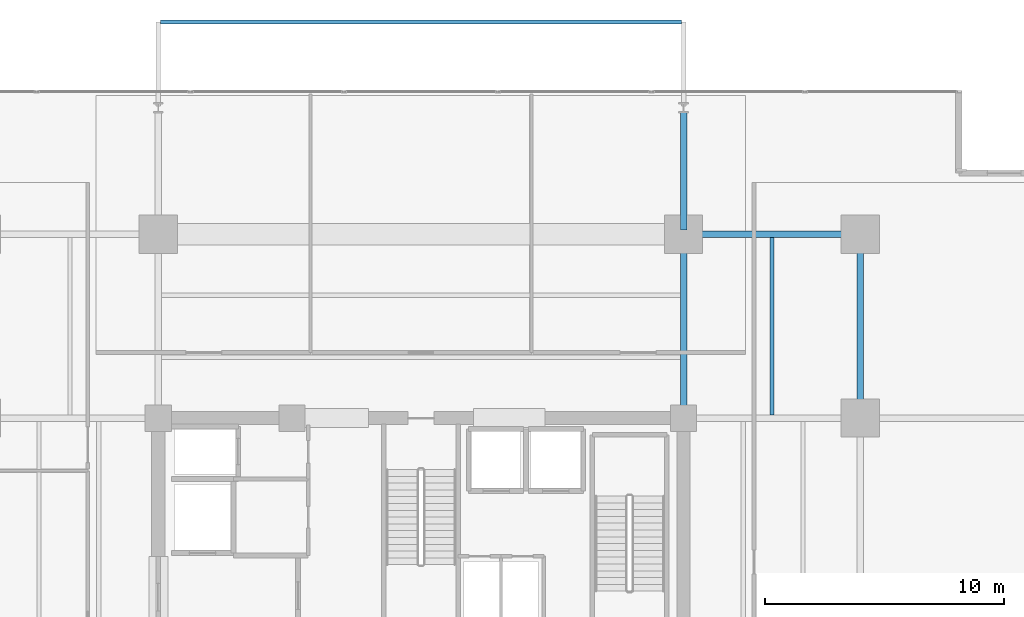
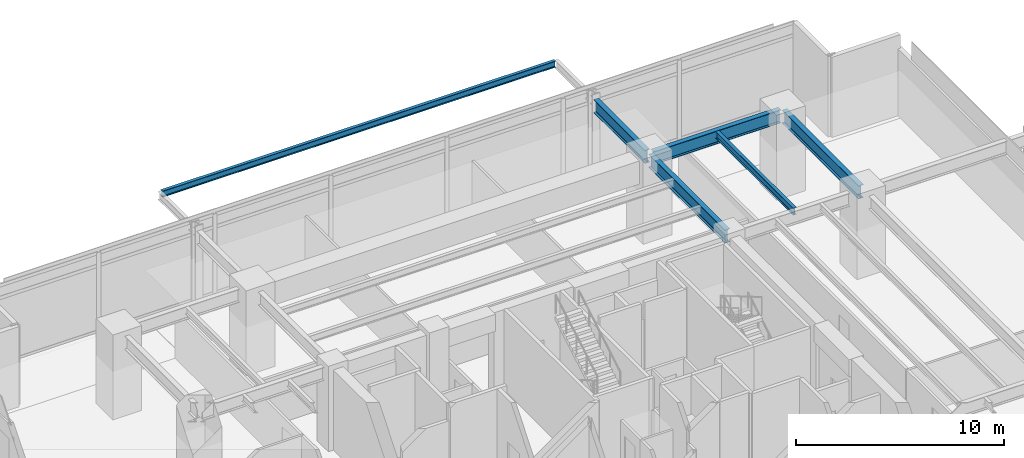
# One storey, part 11 of 24: 6 beams.
"""IFC4 building model written with IfcOpenShell, lengths in metres."""

from ifc_helpers import new_model, si_unit, direction, frame, origin, origin_2d, place, context, subcontext, project, spatial, i_section, extrude, material, material_profile, profile_set, type_object, element, save


model = new_model("IFC4")

# Units and contexts
model_context = context("Model", 3, precision=1e-05, world=origin(), true_north=direction((0.0, 1.0)))
body_context = subcontext(model_context, "Body", "Model", "MODEL_VIEW")
ifc_project = project(units=[si_unit("LENGTHUNIT", "METRE"), si_unit("AREAUNIT", "SQUARE_METRE"), si_unit("VOLUMEUNIT", "CUBIC_METRE"), si_unit("PLANEANGLEUNIT", "RADIAN"), si_unit("MASSUNIT", "GRAM", prefix="KILO")], contexts=[model_context])

# Site, building, storey
site_placement = place(None, origin())
site = spatial("IfcSite", under=ifc_project, at=site_placement, CompositionType="ELEMENT")
building_placement = place(site_placement, origin())
building = spatial("IfcBuilding", under=site, at=building_placement, Name="Kovane Verandah Tower", CompositionType="ELEMENT")
storey_placement = place(building_placement, frame((0.0, 0.0, 118.39990234375)))
storey = spatial("IfcBuildingStorey", under=building, at=storey_placement, Name="L27", CompositionType="ELEMENT", Elevation=118.39990234375)

# Beams
ifc_material = material(Name="Steel S355", Category="steel")
ifc_material_profile_1 = material_profile(ifc_material, i_section(OverallWidth=0.26806640625, OverallDepth=0.769775390625, WebThickness=0.015625, FlangeThickness=0.025390625, FilletRadius=0.0166015625, at=origin_2d()), Name="UB762x267x197")
ifc_profile_set_1 = profile_set([ifc_material_profile_1], Name="Steel S355")
beam_type_1 = type_object("IfcBeamType", Name="BM-UB762x197", PredefinedType="BEAM", material=ifc_profile_set_1)
beam_1_placement = place(storey_placement, frame((51.179931640625, 44.199951171875, 4.315185546875), z_axis=(1.0, 0.0, 0.0), x_axis=(0.0, 1.0, 0.0)))
element("IfcBeam", 1, at=beam_1_placement, inside=storey, type_object=beam_type_1, Name="L27 Primary Tower Girder G-RN3", PredefinedType="BEAM", context=body_context, shape_type="SweptSolid", body=[
    extrude(i_section(OverallWidth=0.26806640625, OverallDepth=0.769775390625, WebThickness=0.015625, FlangeThickness=0.025390625, FilletRadius=0.0166015625, at=origin_2d()), origin(), (0.0, 0.0, 1.0), 7.0400390625),
])
for number, where, z_axis, x_axis, name in (
    (2, (58.39990234375, 36.679931640625, 4.315185546875), (0.0, 1.0, 0.0), (-1.0, 0.0, 0.0), "L27 Primary Tower Girder G-RE3"),
    (3, (51.0, 36.679931640625, 4.315185546875), (0.0, 1.0, 0.0), (-1.0, 0.0, 0.0), "L27 Primary Tower Girder G-N2"),
):
    element("IfcBeam", number, at=place(storey_placement, frame(where, z_axis=z_axis, x_axis=x_axis)), inside=storey, type_object=beam_type_1, Name=name, PredefinedType="BEAM", context=body_context, shape_type="SweptSolid", body=[
        extrude(i_section(OverallWidth=0.26806640625, OverallDepth=0.769775390625, WebThickness=0.015625, FlangeThickness=0.025390625, FilletRadius=0.0166015625, at=origin_2d()), origin(), (0.0, 0.0, 1.0), 7.340087890625),
    ])
beam_2_placement = place(storey_placement, frame((51.0, 44.3798828125, 4.315185546875), z_axis=(0.0, 1.0, 0.0), x_axis=(-1.0, 0.0, 0.0)))
element("IfcBeam", 4, at=beam_2_placement, inside=storey, type_object=beam_type_1, Name="L27 Primary Tower Girder G-VN2", PredefinedType="BEAM", context=body_context, shape_type="SweptSolid", body=[
    extrude(i_section(OverallWidth=0.26806640625, OverallDepth=0.769775390625, WebThickness=0.015625, FlangeThickness=0.025390625, FilletRadius=0.0166015625, at=origin_2d()), origin(), (0.0, 0.0, 1.0), 4.940185546875),
])
ifc_material_profile_2 = material_profile(ifc_material, i_section(OverallWidth=0.179443359375, OverallDepth=0.412841796875, WebThickness=0.009521484375, FlangeThickness=0.01611328125, FilletRadius=0.01025390625, at=origin_2d()), Name="UB406x178x74")
ifc_profile_set_2 = profile_set([ifc_material_profile_2], Name="Steel S355")
beam_type_2 = type_object("IfcBeamType", Name="JST-UB406x74", PredefinedType="JOIST", material=ifc_profile_set_2)
beam_3_placement = place(storey_placement, frame((54.699951171875, 36.632080078125, 4.49365234375), z_axis=(0.0, 1.0, 0.0), x_axis=(-1.0, 0.0, 0.0)))
element("IfcBeam", 5, at=beam_3_placement, inside=storey, type_object=beam_type_2, Name="L27 Secondary Composite Joist J-NE1", PredefinedType="JOIST", context=body_context, shape_type="SweptSolid", body=[
    extrude(i_section(OverallWidth=0.179443359375, OverallDepth=0.412841796875, WebThickness=0.009521484375, FlangeThickness=0.01611328125, FilletRadius=0.01025390625, at=origin_2d()), origin(), (0.0, 0.0, 1.0), 7.43603515625),
])
ifc_material_profile_3 = material_profile(ifc_material, i_section(OverallWidth=0.173095703125, OverallDepth=0.36328125, WebThickness=0.009033203125, FlangeThickness=0.015625, FilletRadius=0.01025390625, at=origin_2d()), Name="UB356x171x67")
ifc_profile_set_3 = profile_set([ifc_material_profile_3], Name="Steel S355")
beam_type_3 = type_object("IfcBeamType", Name="SPD-UB356x67", PredefinedType="USERDEFINED", material=ifc_profile_set_3)
beam_4_placement = place(storey_placement, frame((29.094482421875, 53.089111328125, 4.518310546875), z_axis=(1.0, 0.0, 0.0), x_axis=(0.0, 1.0, 0.0)))
element("IfcBeam", 6, at=beam_4_placement, inside=storey, type_object=beam_type_3, Name="L27 North Planter Edge Spandrel", ObjectType="SPANDREL", PredefinedType="USERDEFINED", context=body_context, shape_type="SweptSolid", body=[
    extrude(i_section(OverallWidth=0.173095703125, OverallDepth=0.36328125, WebThickness=0.009033203125, FlangeThickness=0.015625, FilletRadius=0.01025390625, at=origin_2d()), origin(), (0.0, 0.0, 1.0), 21.81103515625),
])

save(model, "model.ifc")
